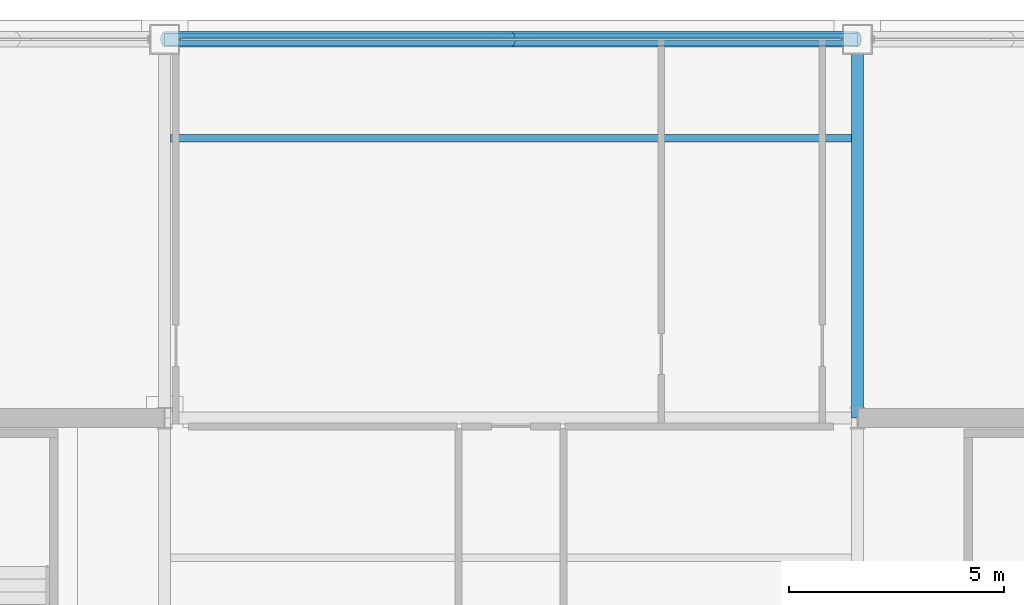
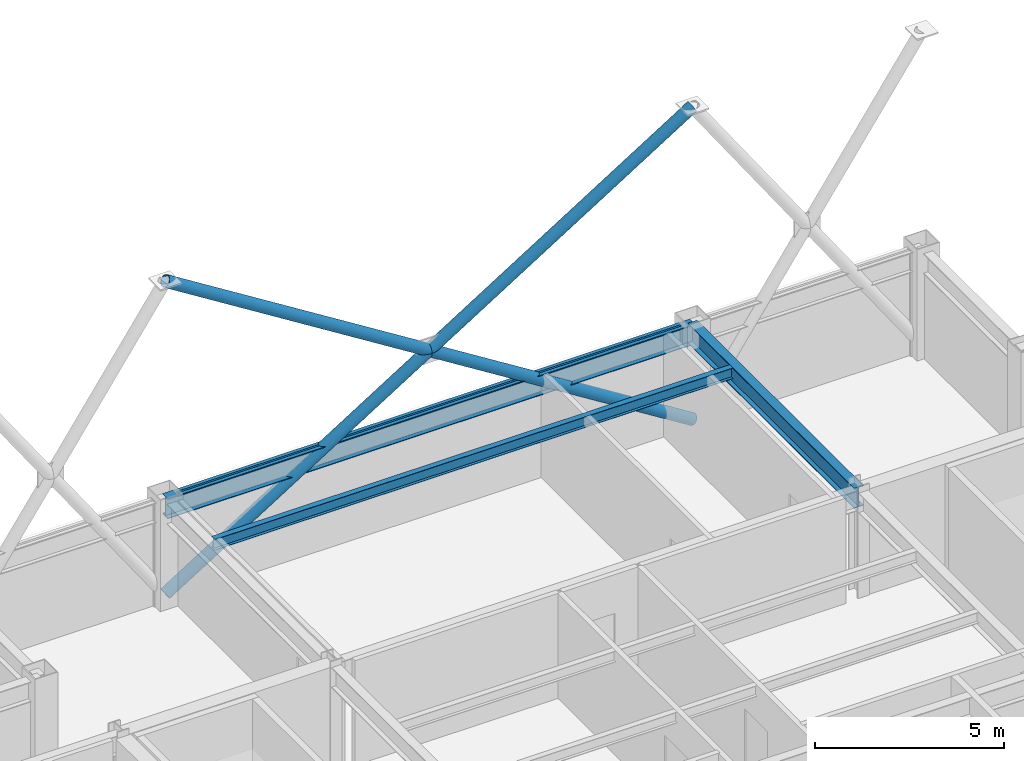
# One storey, part 24 of 33: 4 members, 3 beams, 1 element without a shape of its own.
"""IFC4 building model written with IfcOpenShell, lengths in metres."""

import ifcopenshell
import ifcopenshell.guid

model = None  # the IFC model being written
_history = None  # IfcOwnerHistory: only IFC2X3 demands one
_inside = {}  # id of a spatial element -> (the spatial element, [elements in it])
_under = {}  # id of a project, library or spatial element -> (it, [spatial elements below it])
_declared = {}  # id of a project -> (the project, [libraries it declares])
_typed = {}  # id of a type object -> (the type object, [elements of that type])
_made_of = {}  # id of a material, layer set ... -> (it, [elements and type objects made of it])


def new_model(schema):
    """Start an empty IFC model of exactly this schema.

    Asked for "IFC4X3", IfcOpenShell would pick the latest addendum, in which some entities
    have other attributes; the version numbers below select the first issue.
    IFC2X3 requires an IfcOwnerHistory on every rooted entity: one is made here for all.
    """
    global model, _history
    if schema == "IFC4X3":
        model = ifcopenshell.file(schema_version=(4, 3, 0, 0))
    else:
        model = ifcopenshell.file(schema=schema)
    _inside.clear()
    _under.clear()
    _declared.clear()
    _typed.clear()
    _made_of.clear()
    _history = None
    if model.schema == "IFC2X3":
        org = make("IfcOrganization", Name="unknown")
        user = make(
            "IfcPersonAndOrganization",
            ThePerson=make("IfcPerson", FamilyName="unknown"),
            TheOrganization=org,
        )
        app = make(
            "IfcApplication",
            ApplicationDeveloper=org,
            Version="unknown",
            ApplicationFullName="unknown",
            ApplicationIdentifier="unknown",
        )
        _history = make(
            "IfcOwnerHistory",
            OwningUser=user,
            OwningApplication=app,
            ChangeAction="ADDED",
            CreationDate=0,
        )
    return model


def make(cls, **values):
    """One entity of the class cls with the attributes given. An attribute that is None is left unset."""
    return model.create_entity(
        cls, **{name: value for name, value in values.items() if value is not None}
    )


def rooted(cls, **values):
    """An entity with a GlobalId (a new one), such as an element, a storey or a relation."""
    return make(cls, GlobalId=ifcopenshell.guid.new(), OwnerHistory=_history, **values)


def si_unit(unit_type, name, prefix=None):
    """IfcSIUnit, for example si_unit("LENGTHUNIT", "METRE", prefix="MILLI")."""
    return make("IfcSIUnit", UnitType=unit_type, Prefix=prefix, Name=name)


def assignment(units):
    """IfcUnitAssignment: the units of a project."""
    return None if units is None else make("IfcUnitAssignment", Units=units)


def point(xyz):
    """IfcCartesianPoint."""
    return None if xyz is None else make("IfcCartesianPoint", Coordinates=xyz)


def direction(xyz):
    """IfcDirection."""
    return None if xyz is None else make("IfcDirection", DirectionRatios=xyz)


def frame(location, z_axis=None, x_axis=None):
    """IfcAxis2Placement3D, a coordinate frame: its origin and axes. An axis left out is left unset."""
    return make(
        "IfcAxis2Placement3D",
        Location=point(location),
        Axis=direction(z_axis),
        RefDirection=direction(x_axis),
    )


def frame_2d(location, x_axis=None):
    """IfcAxis2Placement2D, a coordinate frame in the plane: its origin and x axis."""
    return make(
        "IfcAxis2Placement2D", Location=point(location), RefDirection=direction(x_axis)
    )


def origin():
    """The frame at (0, 0, 0) with its axes left unset."""
    return frame((0.0, 0.0, 0.0))


def origin_2d():
    """The frame at (0, 0) in the plane with its x axis left unset."""
    return frame_2d((0.0, 0.0))


def place(relative_to, where):
    """IfcLocalPlacement: puts the frame where relative to a parent placement (None: the world)."""
    return make(
        "IfcLocalPlacement", PlacementRelTo=relative_to, RelativePlacement=where
    )


def context(
    kind, dimensions, precision=None, world=None, true_north=None, identifier=None
):
    """IfcGeometricRepresentationContext, for example the 3D "Model" context."""
    return make(
        "IfcGeometricRepresentationContext",
        ContextIdentifier=identifier,
        ContextType=kind,
        CoordinateSpaceDimension=dimensions,
        Precision=precision,
        WorldCoordinateSystem=world,
        TrueNorth=true_north,
    )


def subcontext(parent, identifier, kind, view, scale=None):
    """IfcGeometricRepresentationSubContext, for example "Body" below "Model"."""
    return make(
        "IfcGeometricRepresentationSubContext",
        ContextIdentifier=identifier,
        ContextType=kind,
        ParentContext=parent,
        TargetScale=scale,
        TargetView=view,
    )


def project(units=None, contexts=None):
    """IfcProject with its units and contexts."""
    return rooted(
        "IfcProject",
        Name="project",
        RepresentationContexts=contexts,
        UnitsInContext=assignment(units),
    )


def spatial(cls, under=None, at=None, **own):
    """A site, building, storey or space (cls), placed at a placement, below another one or the project."""
    s = rooted(cls, ObjectPlacement=at, **own)
    if under is not None:
        _under.setdefault(under.id(), (under, []))[1].append(s)
    return s


def profile(cls, at=None, kind="AREA", **sizes):
    """A parametric profile (cls). Its sizes go by their IFC names, for example OverallWidth=200.0."""
    return make(cls, ProfileType=kind, Position=at, **sizes)


def hollow_rectangle(**sizes):
    """IfcRectangleHollowProfileDef."""
    return profile("IfcRectangleHollowProfileDef", **sizes)


def hollow_circle(**sizes):
    """IfcCircleHollowProfileDef."""
    return profile("IfcCircleHollowProfileDef", **sizes)


def i_section(**sizes):
    """IfcIShapeProfileDef."""
    return profile("IfcIShapeProfileDef", **sizes)


def extrude(swept, where, along, depth):
    """IfcExtrudedAreaSolid: the profile swept, set in the frame where, extruded along a direction by depth."""
    return make(
        "IfcExtrudedAreaSolid",
        SweptArea=swept,
        Position=where,
        ExtrudedDirection=direction(along),
        Depth=depth,
    )


def shape(context_of_items, identifier, shape_type, items):
    """IfcShapeRepresentation: the items that make up one representation, for example the "Body"."""
    return make(
        "IfcShapeRepresentation",
        ContextOfItems=context_of_items,
        RepresentationIdentifier=identifier,
        RepresentationType=shape_type,
        Items=items,
    )


def material(Name=None, Category=None):
    """IfcMaterial."""
    return make("IfcMaterial", Name=Name, Category=Category)


def layer(
    of_material, thickness, ventilated=None, Name=None, Category=None, Priority=None
):
    """IfcMaterialLayer: one layer of a wall or slab, of a material (None: an air gap)."""
    return make(
        "IfcMaterialLayer",
        Material=of_material,
        LayerThickness=thickness,
        IsVentilated=ventilated,
        Name=Name,
        Category=Category,
        Priority=Priority,
    )


def layer_set(layers, Name=None):
    """IfcMaterialLayerSet."""
    return make("IfcMaterialLayerSet", MaterialLayers=layers, LayerSetName=Name)


def material_profile(
    of_material, cross_section, Name=None, Category=None, Priority=None
):
    """IfcMaterialProfile: a cross section and its material."""
    return make(
        "IfcMaterialProfile",
        Name=Name,
        Material=of_material,
        Profile=cross_section,
        Priority=Priority,
        Category=Category,
    )


def profile_set(profiles, Name=None, composite=None):
    """IfcMaterialProfileSet."""
    return make(
        "IfcMaterialProfileSet",
        Name=Name,
        MaterialProfiles=profiles,
        CompositeProfile=composite,
    )


def made_of(thing, what):
    """Note that an element or type object is made of a material, layer set ...; save() writes the relation."""
    if what is not None:
        _made_of.setdefault(what.id(), (what, []))[1].append(thing)
    return thing


def type_object(cls, material=None, **own):
    """A type object (cls), such as IfcWallType, which elements share."""
    return made_of(rooted(cls, **own), material)


def element(
    cls,
    number,
    at=None,
    inside=None,
    cuts=None,
    type_object=None,
    material=None,
    context=None,
    identifier="Body",
    shape_type=None,
    held_by="IfcProductDefinitionShape",
    body=None,
    shapes=None,
    **own,
):
    """One element of the class cls, such as IfcWall. Its Tag is "e" and its number.

    at: its placement. inside: the storey or other place that contains it. cuts: it is an
    opening in that element (IfcRelVoidsElement). A single representation is given by context,
    identifier, shape_type and body (its items); several are given by shapes. held_by: the class
    of the entity that holds the representations. save() writes the other relations.
    """
    e = rooted(cls, Tag="e%d" % number, ObjectPlacement=at, **own)
    if body is not None:
        shapes = [shape(context, identifier, shape_type, body)]
    if shapes is not None:
        e.Representation = make(held_by, Representations=shapes)
    if inside is not None:
        _inside.setdefault(inside.id(), (inside, []))[1].append(e)
    if cuts is not None:
        rooted(
            "IfcRelVoidsElement", RelatingBuildingElement=cuts, RelatedOpeningElement=e
        )
    if type_object is not None:
        _typed.setdefault(type_object.id(), (type_object, []))[1].append(e)
    return made_of(e, material)


def aggregate(whole, parts):
    """IfcRelAggregates: a whole, such as a stair, and the parts it consists of."""
    return rooted("IfcRelAggregates", RelatingObject=whole, RelatedObjects=parts)


def save(model, path):
    """Write the relations noted so far, then the file.

    IfcRelAggregates (storeys below a building ...), IfcRelContainedInSpatialStructure (elements
    in a storey), IfcRelDefinesByType, IfcRelAssociatesMaterial and IfcRelDeclares: one each for
    every whole, place, type object, material and project.
    """
    for whole, parts in _under.values():
        aggregate(whole, parts)
    for where, things in _inside.values():
        rooted(
            "IfcRelContainedInSpatialStructure",
            RelatedElements=things,
            RelatingStructure=where,
        )
    for kind, things in _typed.values():
        rooted("IfcRelDefinesByType", RelatedObjects=things, RelatingType=kind)
    for what, things in _made_of.values():
        rooted("IfcRelAssociatesMaterial", RelatedObjects=things, RelatingMaterial=what)
    for by, libraries in _declared.values():
        rooted("IfcRelDeclares", RelatingContext=by, RelatedDefinitions=libraries)
    model.write(path)


model = new_model("IFC4")

# Units and contexts
model_context = context("Model", 3, precision=1e-05, world=origin(), true_north=direction((0.0, 1.0)))
body_context = subcontext(model_context, "Body", "Model", "MODEL_VIEW")
ifc_project = project(units=[si_unit("LENGTHUNIT", "METRE"), si_unit("AREAUNIT", "SQUARE_METRE"), si_unit("VOLUMEUNIT", "CUBIC_METRE"), si_unit("PLANEANGLEUNIT", "RADIAN"), si_unit("MASSUNIT", "GRAM", prefix="KILO")], contexts=[model_context])

# Site, building, storey
site_placement = place(None, origin())
site = spatial("IfcSite", under=ifc_project, at=site_placement, CompositionType="ELEMENT")
building_placement = place(site_placement, origin())
building = spatial("IfcBuilding", under=site, at=building_placement, Name="Brelmoor Portico Tower", CompositionType="ELEMENT")
storey_placement = place(building_placement, frame((0.0, 0.0, 194.699951171875)))
storey = spatial("IfcBuildingStorey", under=building, at=storey_placement, Name="L51", CompositionType="ELEMENT", Elevation=194.699951171875)

# Beams
ifc_material_1 = material(Name="Steel Q355B", Category="steel")
ifc_material_profile_1 = material_profile(ifc_material_1, i_section(OverallWidth=0.175048828125, OverallDepth=0.35009765625, WebThickness=0.007080078125, FlangeThickness=0.010986328125, at=origin_2d()), Name="HN 350x175x7x11")
ifc_profile_set_1 = profile_set([ifc_material_profile_1], Name="Steel Q355B")
beam_type_1 = type_object("IfcBeamType", Name="BM-JS-350", PredefinedType="JOIST", material=ifc_profile_set_1)
beam_1_placement = place(storey_placement, frame((-7.909912109375, 16.25, 3.22509765625), z_axis=(1.0, 0.0, 0.0), x_axis=(0.0, 1.0, 0.0)))
element("IfcBeam", 1, at=beam_1_placement, inside=storey, type_object=beam_type_1, Name="L51 Secondary Composite Joist JS-C04", PredefinedType="JOIST", context=body_context, shape_type="SweptSolid", body=[
    extrude(i_section(OverallWidth=0.175048828125, OverallDepth=0.35009765625, WebThickness=0.007080078125, FlangeThickness=0.010986328125, at=origin_2d()), origin(), (0.0, 0.0, 1.0), 15.81982421875),
])
ifc_material_profile_2 = material_profile(ifc_material_1, i_section(OverallWidth=0.280029296875, OverallDepth=0.64990234375, WebThickness=0.012939453125, FlangeThickness=0.02197265625, at=origin_2d()), Name="HN 650x280x13x22")
ifc_profile_set_2 = profile_set([ifc_material_profile_2], Name="Steel Q355B")
beam_type_2 = type_object("IfcBeamType", Name="BM-PG-650", PredefinedType="BEAM", material=ifc_profile_set_2)
beam_2_placement = place(storey_placement, frame((8.050048828125, 9.75, 3.074951171875), z_axis=(0.0, 1.0, 0.0), x_axis=(-1.0, 0.0, 0.0)))
element("IfcBeam", 2, at=beam_2_placement, inside=storey, type_object=beam_type_2, Name="L51 Primary Floor Girder PG-08", PredefinedType="BEAM", context=body_context, shape_type="SweptSolid", body=[
    extrude(i_section(OverallWidth=0.280029296875, OverallDepth=0.64990234375, WebThickness=0.012939453125, FlangeThickness=0.02197265625, at=origin_2d()), origin(), (0.0, 0.0, 1.0), 8.800048828125),
])
ifc_material_profile_3 = material_profile(ifc_material_1, i_section(OverallWidth=0.280029296875, OverallDepth=0.64990234375, WebThickness=0.012939453125, FlangeThickness=0.02197265625, at=origin_2d()), Name="HN 650x280x13x22")
ifc_profile_set_3 = profile_set([ifc_material_profile_3], Name="Steel Q355B")
beam_type_3 = type_object("IfcBeamType", Name="BM-SP-650", PredefinedType="SPANDREL", material=ifc_profile_set_3)
beam_3_placement = place(storey_placement, frame((-8.050048828125, 18.550048828125, 3.074951171875), z_axis=(1.0, 0.0, 0.0), x_axis=(0.0, 1.0, 0.0)))
element("IfcBeam", 3, at=beam_3_placement, inside=storey, type_object=beam_type_3, Name="L51 Perimeter Spandrel Beam SP-09", PredefinedType="SPANDREL", context=body_context, shape_type="SweptSolid", body=[
    extrude(i_section(OverallWidth=0.280029296875, OverallDepth=0.64990234375, WebThickness=0.012939453125, FlangeThickness=0.02197265625, at=origin_2d()), origin(), (0.0, 0.0, 1.0), 16.10009765625),
])

# Members
ifc_material_profile_4 = material_profile(ifc_material_1, hollow_circle(Radius=0.177978515625, WallThickness=0.01611328125, at=origin_2d()), Name="CHS 356x16")
ifc_profile_set_4 = profile_set([ifc_material_profile_4], Name="Steel Q355B")
member_type_1 = type_object("IfcMemberType", Name="MB-BELT-DIAG2", PredefinedType="BRACE", material=ifc_profile_set_4)
member_1_placement = place(storey_placement, frame((-8.050048828125, 18.550048828125, 0.25), z_axis=(0.847109476093, 0.0, 0.531418418493), x_axis=(0.0, 1.0, 0.0)))
element("IfcMember", 4, at=member_1_placement, inside=storey, type_object=member_type_1, Name="L51 Continuous Mega-X Brace 120A", PredefinedType="BRACE", context=body_context, shape_type="SweptSolid", body=[
    extrude(hollow_circle(Radius=0.177978515625, WallThickness=0.01611328125, at=origin_2d()), origin(), (0.0, 0.0, 1.0), 19.005859375),
])
for number, where, z_axis, x_axis, name in (
    (5, (8.050048828125, 18.550048828125, 0.25), (-0.847109476093, 0.0, 0.531418418493), (0.0, -1.0, 0.0), "L51 Split Mega-X Brace 120B1"),
    (6, (0.0, 18.550048828125, 5.300048828125), (-0.847109476093, 0.0, 0.531418418493), (0.0, -1.0, 0.0), "L51 Split Mega-X Brace 120B2"),
):
    element("IfcMember", number, at=place(storey_placement, frame(where, z_axis=z_axis, x_axis=x_axis)), inside=storey, type_object=member_type_1, Name=name, PredefinedType="BRACE", context=body_context, shape_type="SweptSolid", body=[
        extrude(hollow_circle(Radius=0.177978515625, WallThickness=0.01611328125, at=origin_2d()), origin(), (0.0, 0.0, 1.0), 9.5029296875),
    ])

# Curtain wall, member
ifc_material_2 = material(Name="Anodised Aluminium Alloy 6063-T6", Category="aluminium")
ifc_layer = layer(ifc_material_2, 0.179931640625)
ifc_layer_set = layer_set([ifc_layer], Name="Anodised Aluminium Alloy 6063-T6")
curtain_wall_type = type_object("IfcCurtainWallType", Name="CW-TOWER-Z3-XB", PredefinedType="NOTDEFINED", material=ifc_layer_set)
curtain_wall_placement = place(storey_placement, origin())
curtain_wall = element("IfcCurtainWall", 7, at=curtain_wall_placement, inside=storey, type_object=curtain_wall_type, Name="L51 Curtain Wall CW-L51-02-2", PredefinedType="NOTDEFINED")
ifc_material_profile_5 = material_profile(ifc_material_2, hollow_rectangle(XDim=0.06005859375, YDim=0.125, WallThickness=0.00341796875, at=origin_2d()), Name="ALU TRANSOM 60x125")
ifc_profile_set_5 = profile_set([ifc_material_profile_5], Name="Anodised Aluminium Alloy 6063-T6")
member_type_2 = type_object("IfcMemberType", Name="MB-CW-TRAN-125", PredefinedType="USERDEFINED", material=ifc_profile_set_5)
member_2_placement = place(storey_placement, frame((-7.68994140625, 18.550048828125, 3.337646484375), z_axis=(1.0, 0.0, 0.0), x_axis=(0.0, 1.0, 0.0)))
member_2 = element("IfcMember", 8, at=member_2_placement, type_object=member_type_2, Name="CW-L51-02-2 Transom 1-00", ObjectType="TRANSOM", PredefinedType="USERDEFINED", context=body_context, shape_type="SweptSolid", body=[
    extrude(hollow_rectangle(XDim=0.06005859375, YDim=0.125, WallThickness=0.00341796875, at=origin_2d()), origin(), (0.0, 0.0, 1.0), 15.3798828125),
])
aggregate(curtain_wall, [member_2])

save(model, "model.ifc")
